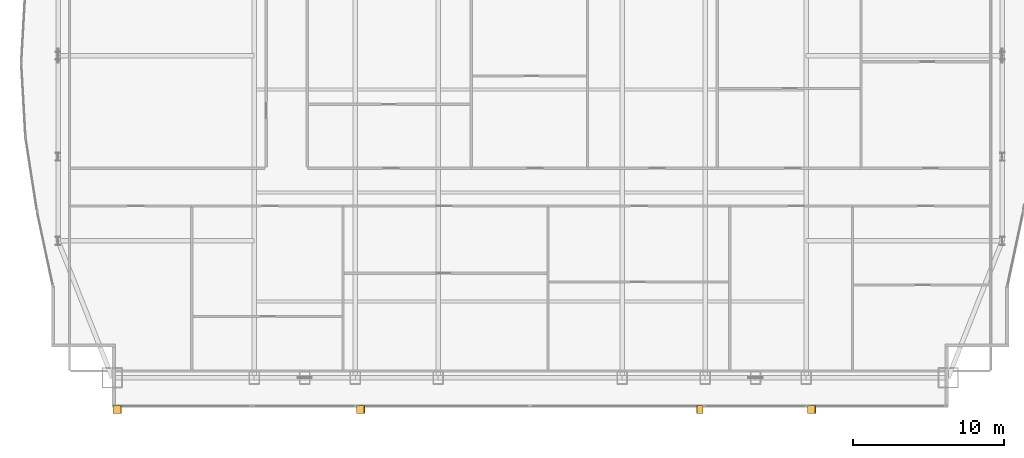
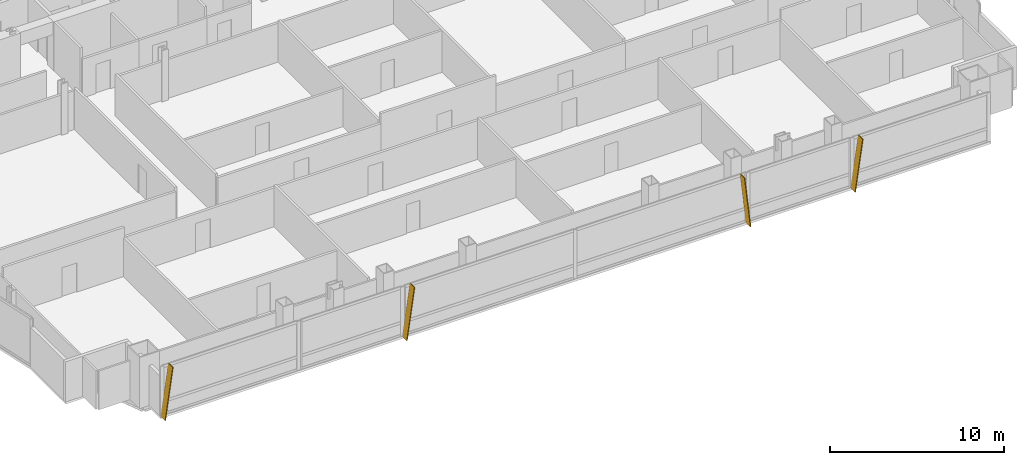
# One storey, part 28 of 29: 4 shading devices.
"""IFC4 building model written with IfcOpenShell, lengths in metres."""

from ifc_helpers import new_model, si_unit, direction, frame, origin, place, context, subcontext, project, spatial, polyline, outline, extrude, material, layer, layer_set, type_object, element, save


model = new_model("IFC4")

# Units and contexts
model_context = context("Model", 3, precision=1e-05, world=origin(), true_north=direction((0.0, 1.0)))
body_context = subcontext(model_context, "Body", "Model", "MODEL_VIEW")
ifc_project = project(units=[si_unit("LENGTHUNIT", "METRE"), si_unit("AREAUNIT", "SQUARE_METRE"), si_unit("VOLUMEUNIT", "CUBIC_METRE"), si_unit("PLANEANGLEUNIT", "RADIAN"), si_unit("MASSUNIT", "GRAM", prefix="KILO")], contexts=[model_context])

# Site, building, storey
site_placement = place(None, origin())
site = spatial("IfcSite", under=ifc_project, at=site_placement, CompositionType="ELEMENT")
building_placement = place(site_placement, origin())
building = spatial("IfcBuilding", under=site, at=building_placement, Name="Khoronbel Lancet Exchange", CompositionType="ELEMENT")
storey_placement = place(building_placement, frame((0.0, 0.0, 165.0)))
storey = spatial("IfcBuildingStorey", under=building, at=storey_placement, Name="L41", CompositionType="ELEMENT", Elevation=165.0)

# Shading devices
ifc_material = material(Name="Bronze-Anodised Aluminium 6063-T6", Category="aluminium")
ifc_layer = layer(ifc_material, 0.054931640625, Name="Bronze-Anodised Aluminium 6063-T6")
ifc_layer_set = layer_set([ifc_layer], Name="Bronze-Anodised Aluminium 6063-T6")
shading_device_type = type_object("IfcShadingDeviceType", Name="SHD-FIN1", PredefinedType="USERDEFINED", material=ifc_layer_set)
for number, where, z_axis, x_axis, name in (
    (1, (8.91259765625, 8.31005859375, -0.080078125), (-0.990092925251, 0.0, 0.140413672296), (0.0, -1.0, 0.0), "Slanted bronze solar fin CW-L41-SWV-0"),
    (2, (24.972412109375, 8.31005859375, -0.080078125), (-0.990083483708, 0.0, 0.140480230955), (0.0, -1.0, 0.0), "Slanted bronze solar fin CW-L41-SCV-0"),
):
    element("IfcShadingDevice", number, at=place(storey_placement, frame(where, z_axis=z_axis, x_axis=x_axis)), inside=storey, type_object=shading_device_type, Name=name, ObjectType="FIN", PredefinedType="USERDEFINED", context=body_context, shape_type="SweptSolid", body=[
        extrude(outline(polyline([(0.0, 0.0), (0.52001953125, 0.0), (0.52001953125, 3.595703125), (0.0, 3.595703125), (0.0, 0.0)])), origin(), (0.0, 0.0, -1.0), 0.054931640625),
    ])
shading_device_1_placement = place(storey_placement, frame((47.87255859375, 8.31005859375, -0.080078125), z_axis=(0.993900347655, 0.0, 0.110281906632), x_axis=(0.0, -1.0, 0.0)))
element("IfcShadingDevice", 3, at=shading_device_1_placement, inside=storey, type_object=shading_device_type, Name="Slanted bronze solar fin CW-L41-SCV-2", ObjectType="FIN", PredefinedType="USERDEFINED", context=body_context, shape_type="SweptSolid", body=[
    extrude(outline(polyline([(0.0, 0.0), (0.52001953125, 0.0), (0.52001953125, -3.581787109375), (0.0, -3.581787109375), (0.0, 0.0)])), origin(), (0.0, 0.0, -1.0), 0.054931640625),
])
shading_device_2_placement = place(storey_placement, frame((54.7724609375, 8.31005859375, -0.080078125), z_axis=(-0.990083483708, 0.0, 0.140480230955), x_axis=(0.0, -1.0, 0.0)))
element("IfcShadingDevice", 4, at=shading_device_2_placement, inside=storey, type_object=shading_device_type, Name="Slanted bronze solar fin CW-L41-SEV-0", ObjectType="FIN", PredefinedType="USERDEFINED", context=body_context, shape_type="SweptSolid", body=[
    extrude(outline(polyline([(0.0, 0.0), (0.52001953125, 0.0), (0.52001953125, 3.595703125), (0.0, 3.595703125), (0.0, 0.0)])), origin(), (0.0, 0.0, -1.0), 0.054931640625),
])

save(model, "model.ifc")
